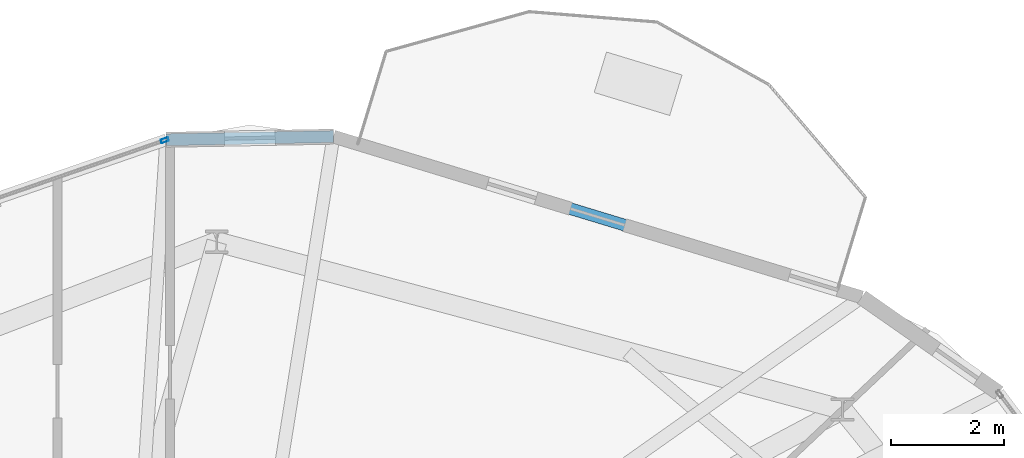
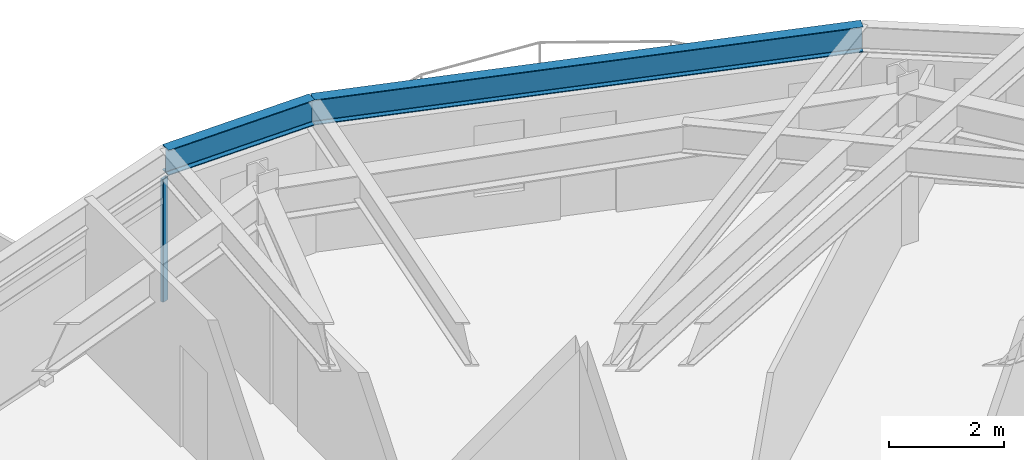
# One storey, part 23 of 34: 2 beams, 1 member, 1 element without a shape of its own.
"""IFC4 building model written with IfcOpenShell, lengths in metres."""

from ifc_helpers import new_model, si_unit, direction, frame, origin, origin_2d, place, context, subcontext, project, spatial, hollow_rectangle, i_section, extrude, material, layer, layer_set, material_profile, profile_set, type_object, element, aggregate, save


model = new_model("IFC4")

# Units and contexts
model_context = context("Model", 3, precision=1e-05, world=origin(), true_north=direction((0.0, 1.0)))
body_context = subcontext(model_context, "Body", "Model", "MODEL_VIEW")
ifc_project = project(units=[si_unit("LENGTHUNIT", "METRE"), si_unit("AREAUNIT", "SQUARE_METRE"), si_unit("VOLUMEUNIT", "CUBIC_METRE"), si_unit("PLANEANGLEUNIT", "RADIAN"), si_unit("MASSUNIT", "GRAM", prefix="KILO")], contexts=[model_context])

# Site, building, storey
site_placement = place(None, origin())
site = spatial("IfcSite", under=ifc_project, at=site_placement, CompositionType="ELEMENT")
building_placement = place(site_placement, origin())
building = spatial("IfcBuilding", under=site, at=building_placement, Name="Soratama Intermodal Tower", CompositionType="ELEMENT")
storey_placement = place(building_placement, frame((0.0, 0.0, 233.800048828125)))
storey = spatial("IfcBuildingStorey", under=building, at=storey_placement, Name="L59", CompositionType="ELEMENT", Elevation=233.800048828125)

# Beams
ifc_material_1 = material(Name="Structural steel ASTM A992 Grade 50", Category="steel")
ifc_material_profile_1 = material_profile(ifc_material_1, i_section(OverallWidth=0.2099609375, OverallDepth=0.537109375, WebThickness=0.010986328125, FlangeThickness=0.017333984375, FilletRadius=0.012939453125, at=origin_2d()), Name="W21X68")
ifc_profile_set_1 = profile_set([ifc_material_profile_1], Name="Structural steel ASTM A992 Grade 50")
beam_type = type_object("IfcBeamType", Name="BM-SPN-W21X68", PredefinedType="SPANDREL", material=ifc_profile_set_1)
beam_1_placement = place(storey_placement, frame((55.471923828125, 42.591064453125, 2.951416015625), z_axis=(-0.956734515384, 0.290962312119, 0.0), x_axis=(-0.290962312119, -0.956734515384, 0.0)))
element("IfcBeam", 1, at=beam_1_placement, inside=storey, type_object=beam_type, Name="BS-L59-F01", PredefinedType="SPANDREL", context=body_context, shape_type="SweptSolid", body=[
    extrude(i_section(OverallWidth=0.2099609375, OverallDepth=0.537109375, WebThickness=0.010986328125, FlangeThickness=0.017333984375, FilletRadius=0.012939453125, at=origin_2d()), origin(), (0.0, 0.0, 1.0), 9.7978515625),
])
beam_2_placement = place(storey_placement, frame((46.097900390625, 45.44189453125, 2.951416015625), z_axis=(-0.999822370262, -0.018847491175, 0.0), x_axis=(0.018847491175, -0.999822370262, 0.0)))
element("IfcBeam", 2, at=beam_2_placement, inside=storey, type_object=beam_type, Name="BS-L59-CRN01", PredefinedType="SPANDREL", context=body_context, shape_type="SweptSolid", body=[
    extrude(i_section(OverallWidth=0.2099609375, OverallDepth=0.537109375, WebThickness=0.010986328125, FlangeThickness=0.017333984375, FilletRadius=0.012939453125, at=origin_2d()), origin(), (0.0, 0.0, 1.0), 2.96630859375),
])

# Curtain wall, member
ifc_material_2 = material(Name="Double-glazed aluminium curtain wall", Category="aluminium")
ifc_layer = layer(ifc_material_2, 0.159912109375)
ifc_layer_set = layer_set([ifc_layer], Name="Double-glazed aluminium curtain wall")
curtain_wall_type = type_object("IfcCurtainWallType", Name="CW-SYS-5", PredefinedType="NOTDEFINED", material=ifc_layer_set)
curtain_wall_placement = place(storey_placement, origin())
curtain_wall = element("IfcCurtainWall", 3, at=curtain_wall_placement, inside=storey, type_object=curtain_wall_type, Name="L59 Faceted Curtain Wall F02", PredefinedType="NOTDEFINED")
ifc_material_3 = material(Name="Anodised aluminium AA 6063-T6", Category="aluminium")
ifc_material_profile_2 = material_profile(ifc_material_3, hollow_rectangle(XDim=0.06494140625, YDim=0.139892578125, WallThickness=0.0048828125, InnerFilletRadius=0.0048828125, OuterFilletRadius=0.010009765625, at=origin_2d()), Name="CWM140X65X5")
ifc_profile_set_2 = profile_set([ifc_material_profile_2], Name="Anodised aluminium AA 6063-T6")
member_type = type_object("IfcMemberType", Name="MT-CWM-5", PredefinedType="MULLION", material=ifc_profile_set_2)
member_placement = place(storey_placement, frame((43.103759765625, 45.376708984375, 0.0), z_axis=(0.0, 0.0, 1.0), x_axis=(0.326893913141, -0.945061040119, 0.0)))
member = element("IfcMember", 4, at=member_placement, type_object=member_type, Name="CW-5 mullion 1", PredefinedType="MULLION", context=body_context, shape_type="SweptSolid", body=[
    extrude(hollow_rectangle(XDim=0.06494140625, YDim=0.139892578125, WallThickness=0.0048828125, InnerFilletRadius=0.0048828125, OuterFilletRadius=0.010009765625, at=origin_2d()), origin(), (0.0, 0.0, 1.0), 2.598876953125),
])
aggregate(curtain_wall, [member])

save(model, "model.ifc")
